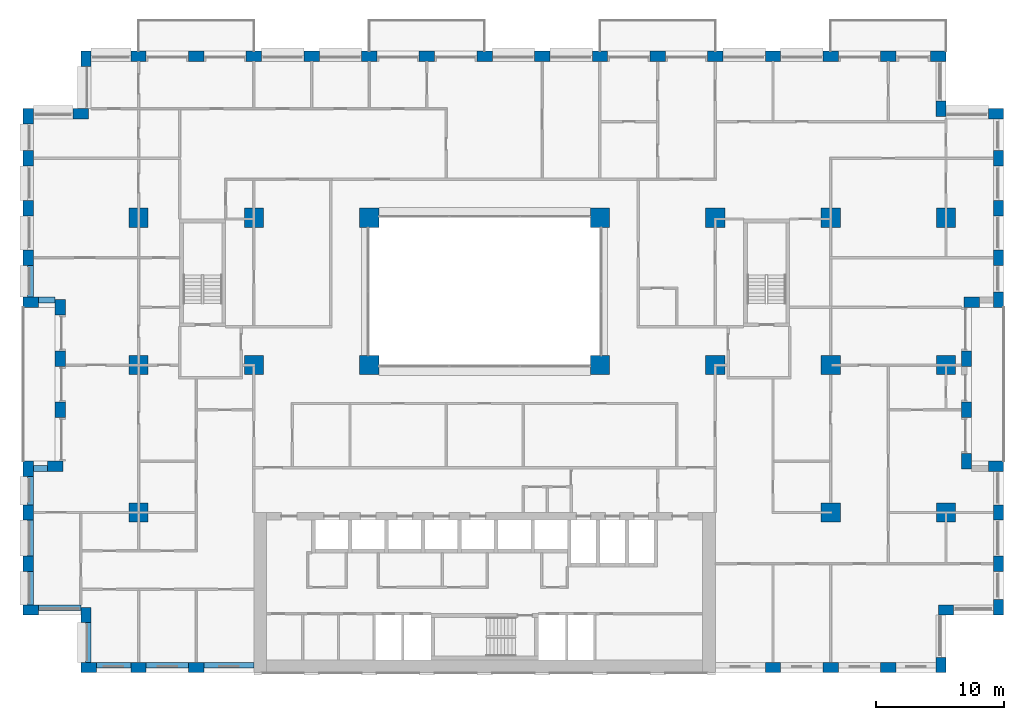
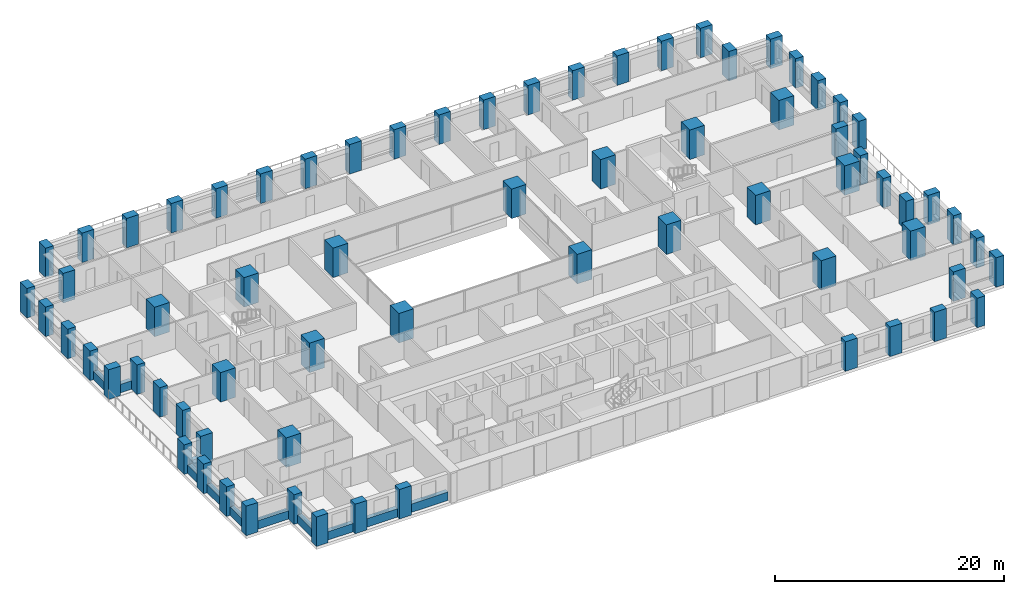
# One storey, part 1 of 20: 70 columns, 11 beams.
"""IFC4 building model written with IfcOpenShell, lengths in metres."""

from ifc_helpers import new_model, si_unit, direction, frame, origin, origin_2d, place, context, subcontext, project, spatial, rectangle, extrude, material, material_profile, profile_set, type_object, element, save


model = new_model("IFC4")

# Units and contexts
model_context = context("Model", 3, precision=1e-05, world=origin(), true_north=direction((0.0, 1.0)))
body_context = subcontext(model_context, "Body", "Model", "MODEL_VIEW")
ifc_project = project(units=[si_unit("LENGTHUNIT", "METRE"), si_unit("AREAUNIT", "SQUARE_METRE"), si_unit("VOLUMEUNIT", "CUBIC_METRE"), si_unit("PLANEANGLEUNIT", "RADIAN"), si_unit("MASSUNIT", "GRAM", prefix="KILO")], contexts=[model_context])

# Site, building, storey
site_placement = place(None, origin())
site = spatial("IfcSite", under=ifc_project, at=site_placement, CompositionType="ELEMENT")
building_placement = place(site_placement, origin())
building = spatial("IfcBuilding", under=site, at=building_placement, Name="Brigalow Station Residences", CompositionType="ELEMENT")
storey_placement = place(building_placement, frame((0.0, 0.0, 54.14990234375)))
storey = spatial("IfcBuildingStorey", under=building, at=storey_placement, Name="L15", CompositionType="ELEMENT", Elevation=54.14990234375)

# Columns
ifc_material_1 = material(Name="Concrete C80", Category="concrete")
ifc_material_profile_1 = material_profile(ifc_material_1, rectangle(XDim=1.5, YDim=1.5, at=origin_2d()), Name="RC1500x1500")
ifc_profile_set_1 = profile_set([ifc_material_profile_1], Name="Concrete C80")
column_type_1 = type_object("IfcColumnType", Name="COLUMN 1500x1500 C80", PredefinedType="COLUMN", material=ifc_profile_set_1)
for number, where, z_axis, x_axis, name in (
    (1, (9.0, 24.0, 0.0), (0.0, 0.0, 1.0), (1.0, 0.0, 0.0), "COLUMN C1 L15"),
    (2, (18.0, 24.0, 0.0), (0.0, 0.0, 1.0), (1.0, 0.0, 0.0), "COLUMN C2 L15"),
    (3, (27.0, 24.0, 0.0), (0.0, 0.0, 1.0), (1.0, 0.0, 0.0), "COLUMN C3 L15"),
    (4, (45.0, 24.0, 0.0), (0.0, 0.0, 1.0), (1.0, 0.0, 0.0), "COLUMN C5 L15"),
    (5, (54.0, 24.0, 0.0), (0.0, 0.0, 1.0), (1.0, 0.0, 0.0), "COLUMN C6 L15"),
    (6, (63.0, 24.0, 0.0), (0.0, 0.0, 1.0), (1.0, 0.0, 0.0), "COLUMN C7 L15"),
    (7, (72.0, 24.0, 0.0), (0.0, 0.0, 1.0), (1.0, 0.0, 0.0), "COLUMN C8 L15"),
    (8, (9.0, 35.5, 0.0), (0.0, 0.0, 1.0), (1.0, 0.0, 0.0), "COLUMN D1 L15"),
    (9, (18.0, 35.5, 0.0), (0.0, 0.0, 1.0), (1.0, 0.0, 0.0), "COLUMN D2 L15"),
    (10, (27.0, 35.5, 0.0), (0.0, 0.0, 1.0), (1.0, 0.0, 0.0), "COLUMN D3 L15"),
    (11, (45.0, 35.5, 0.0), (0.0, 0.0, 1.0), (1.0, 0.0, 0.0), "COLUMN D5 L15"),
    (12, (54.0, 35.5, 0.0), (0.0, 0.0, 1.0), (1.0, 0.0, 0.0), "COLUMN D6 L15"),
    (13, (63.0, 35.5, 0.0), (0.0, 0.0, 1.0), (1.0, 0.0, 0.0), "COLUMN D7 L15"),
    (14, (72.0, 35.5, 0.0), (0.0, 0.0, 1.0), (1.0, 0.0, 0.0), "COLUMN D8 L15"),
    (15, (9.0, 12.5, 0.0), (0.0, 0.0, 1.0), (1.0, 0.0, 0.0), "COLUMN B1 L15"),
    (16, (63.0, 12.5, 0.0), (0.0, 0.0, 1.0), (1.0, 0.0, 0.0), "COLUMN B7 L15"),
    (17, (72.0, 12.5, 0.0), (0.0, 0.0, 1.0), (1.0, 0.0, 0.0), "COLUMN B8 L15"),
):
    element("IfcColumn", number, at=place(storey_placement, frame(where, z_axis=z_axis, x_axis=x_axis)), inside=storey, type_object=column_type_1, Name=name, PredefinedType="COLUMN", context=body_context, shape_type="SweptSolid", body=[
        extrude(rectangle(XDim=1.5, YDim=1.5, at=origin_2d()), origin(), (0.0, 0.0, 1.0), 3.150146484375),
    ])
ifc_material_2 = material(Name="Concrete C80", Category="concrete")
ifc_material_profile_2 = material_profile(ifc_material_2, rectangle(XDim=1.199951171875, YDim=0.800048828125, at=origin_2d()), Name="RC1200x800")
ifc_profile_set_2 = profile_set([ifc_material_profile_2], Name="Concrete C80")
column_type_2 = type_object("IfcColumnType", Name="PIER 1200x800 C80", PredefinedType="USERDEFINED", material=ifc_profile_set_2)
for number, where, z_axis, x_axis, name in (
    (18, (5.10009765625, 0.39990234375, 0.0), (0.0, 0.0, 1.0), (1.0, 0.0, 0.0), "PIER S-1 L15"),
    (19, (9.0, 0.39990234375, 0.0), (0.0, 0.0, 1.0), (1.0, 0.0, 0.0), "PIER S-2 L15"),
    (20, (13.5, 0.39990234375, 0.0), (0.0, 0.0, 1.0), (1.0, 0.0, 0.0), "PIER S-3 L15"),
    (21, (58.5, 0.39990234375, 0.0), (0.0, 0.0, 1.0), (1.0, 0.0, 0.0), "PIER S-13 L15"),
    (22, (63.0, 0.39990234375, 0.0), (0.0, 0.0, 1.0), (1.0, 0.0, 0.0), "PIER S-14 L15"),
    (23, (67.5, 0.39990234375, 0.0), (0.0, 0.0, 1.0), (1.0, 0.0, 0.0), "PIER S-15 L15"),
    (24, (71.60009765625, 0.60009765625, 0.0), (0.0, 0.0, 1.0), (0.0, 1.0, 0.0), "PIER SE1-1 L15"),
    (25, (72.0, 4.89990234375, 0.0), (0.0, 0.0, 1.0), (1.0, 0.0, 0.0), "PIER SE2-1 L15"),
    (26, (76.10009765625, 5.10009765625, 0.0), (0.0, 0.0, 1.0), (0.0, 1.0, 0.0), "PIER E1-1 L15"),
    (27, (76.10009765625, 8.5, 0.0), (0.0, 0.0, 1.0), (0.0, 1.0, 0.0), "PIER E1-2 L15"),
    (28, (76.10009765625, 12.5, 0.0), (0.0, 0.0, 1.0), (0.0, 1.0, 0.0), "PIER E1-3 L15"),
    (29, (75.89990234375, 16.10009765625, 0.0), (0.0, 0.0, 1.0), (-1.0, 0.0, 0.0), "PIER EL1-1 L15"),
    (30, (73.60009765625, 16.5, 0.0), (0.0, 0.0, 1.0), (0.0, 1.0, 0.0), "PIER EL2-1 L15"),
    (31, (73.60009765625, 20.5, 0.0), (0.0, 0.0, 1.0), (0.0, 1.0, 0.0), "PIER EL2-2 L15"),
    (32, (73.60009765625, 24.5, 0.0), (0.0, 0.0, 1.0), (0.0, 1.0, 0.0), "PIER EL2-3 L15"),
    (33, (74.0, 28.89990234375, 0.0), (0.0, 0.0, 1.0), (1.0, 0.0, 0.0), "PIER EL3-1 L15"),
    (34, (76.10009765625, 29.10009765625, 0.0), (0.0, 0.0, 1.0), (0.0, 1.0, 0.0), "PIER E2-1 L15"),
    (35, (76.10009765625, 32.375, 0.0), (0.0, 0.0, 1.0), (0.0, 1.0, 0.0), "PIER E2-2 L15"),
    (36, (76.10009765625, 36.25, 0.0), (0.0, 0.0, 1.0), (0.0, 1.0, 0.0), "PIER E2-3 L15"),
    (37, (76.10009765625, 40.125, 0.0), (0.0, 0.0, 1.0), (0.0, 1.0, 0.0), "PIER E2-4 L15"),
    (38, (75.89990234375, 43.60009765625, 0.0), (0.0, 0.0, 1.0), (-1.0, 0.0, 0.0), "PIER NE1-1 L15"),
    (39, (71.60009765625, 44.0, 0.0), (0.0, 0.0, 1.0), (0.0, 1.0, 0.0), "PIER NE2-1 L15"),
    (40, (71.39990234375, 48.10009765625, 0.0), (0.0, 0.0, 1.0), (-1.0, 0.0, 0.0), "PIER N-1 L15"),
    (41, (67.5, 48.10009765625, 0.0), (0.0, 0.0, 1.0), (-1.0, 0.0, 0.0), "PIER N-2 L15"),
    (42, (63.0, 48.10009765625, 0.0), (0.0, 0.0, 1.0), (-1.0, 0.0, 0.0), "PIER N-3 L15"),
    (43, (58.5, 48.10009765625, 0.0), (0.0, 0.0, 1.0), (-1.0, 0.0, 0.0), "PIER N-4 L15"),
    (44, (54.0, 48.10009765625, 0.0), (0.0, 0.0, 1.0), (-1.0, 0.0, 0.0), "PIER N-5 L15"),
    (45, (49.5, 48.10009765625, 0.0), (0.0, 0.0, 1.0), (-1.0, 0.0, 0.0), "PIER N-6 L15"),
    (46, (45.0, 48.10009765625, 0.0), (0.0, 0.0, 1.0), (-1.0, 0.0, 0.0), "PIER N-7 L15"),
    (47, (40.5, 48.10009765625, 0.0), (0.0, 0.0, 1.0), (-1.0, 0.0, 0.0), "PIER N-8 L15"),
    (48, (36.0, 48.10009765625, 0.0), (0.0, 0.0, 1.0), (-1.0, 0.0, 0.0), "PIER N-9 L15"),
    (49, (31.5, 48.10009765625, 0.0), (0.0, 0.0, 1.0), (-1.0, 0.0, 0.0), "PIER N-10 L15"),
    (50, (27.0, 48.10009765625, 0.0), (0.0, 0.0, 1.0), (-1.0, 0.0, 0.0), "PIER N-11 L15"),
    (51, (22.5, 48.10009765625, 0.0), (0.0, 0.0, 1.0), (-1.0, 0.0, 0.0), "PIER N-12 L15"),
    (52, (18.0, 48.10009765625, 0.0), (0.0, 0.0, 1.0), (-1.0, 0.0, 0.0), "PIER N-13 L15"),
    (53, (13.5, 48.10009765625, 0.0), (0.0, 0.0, 1.0), (-1.0, 0.0, 0.0), "PIER N-14 L15"),
    (54, (9.0, 48.10009765625, 0.0), (0.0, 0.0, 1.0), (-1.0, 0.0, 0.0), "PIER N-15 L15"),
    (55, (4.89990234375, 47.89990234375, 0.0), (0.0, 0.0, 1.0), (0.0, -1.0, 0.0), "PIER NW1-1 L15"),
    (56, (4.5, 43.60009765625, 0.0), (0.0, 0.0, 1.0), (-1.0, 0.0, 0.0), "PIER NW2-1 L15"),
    (57, (0.39990234375, 43.39990234375, 0.0), (0.0, 0.0, 1.0), (0.0, -1.0, 0.0), "PIER W2-1 L15"),
    (58, (0.39990234375, 40.125, 0.0), (0.0, 0.0, 1.0), (0.0, -1.0, 0.0), "PIER W2-2 L15"),
    (59, (0.39990234375, 36.25, 0.0), (0.0, 0.0, 1.0), (0.0, -1.0, 0.0), "PIER W2-3 L15"),
    (60, (0.39990234375, 32.375, 0.0), (0.0, 0.0, 1.0), (0.0, -1.0, 0.0), "PIER W2-4 L15"),
    (61, (0.60009765625, 28.89990234375, 0.0), (0.0, 0.0, 1.0), (1.0, 0.0, 0.0), "PIER WL1-1 L15"),
    (62, (2.89990234375, 28.5, 0.0), (0.0, 0.0, 1.0), (0.0, -1.0, 0.0), "PIER WL2-1 L15"),
    (63, (2.89990234375, 24.5, 0.0), (0.0, 0.0, 1.0), (0.0, -1.0, 0.0), "PIER WL2-2 L15"),
    (64, (2.89990234375, 20.5, 0.0), (0.0, 0.0, 1.0), (0.0, -1.0, 0.0), "PIER WL2-3 L15"),
    (65, (2.5, 16.10009765625, 0.0), (0.0, 0.0, 1.0), (-1.0, 0.0, 0.0), "PIER WL3-1 L15"),
    (66, (0.39990234375, 15.89990234375, 0.0), (0.0, 0.0, 1.0), (0.0, -1.0, 0.0), "PIER W1-1 L15"),
    (67, (0.39990234375, 12.5, 0.0), (0.0, 0.0, 1.0), (0.0, -1.0, 0.0), "PIER W1-2 L15"),
    (68, (0.39990234375, 8.5, 0.0), (0.0, 0.0, 1.0), (0.0, -1.0, 0.0), "PIER W1-3 L15"),
    (69, (0.60009765625, 4.89990234375, 0.0), (0.0, 0.0, 1.0), (1.0, 0.0, 0.0), "PIER SW1-1 L15"),
    (70, (4.89990234375, 4.5, 0.0), (0.0, 0.0, 1.0), (0.0, -1.0, 0.0), "PIER SW2-1 L15"),
):
    element("IfcColumn", number, at=place(storey_placement, frame(where, z_axis=z_axis, x_axis=x_axis)), inside=storey, type_object=column_type_2, Name=name, ObjectType="PIER", PredefinedType="USERDEFINED", context=body_context, shape_type="SweptSolid", body=[
        extrude(rectangle(XDim=1.199951171875, YDim=0.800048828125, at=origin_2d()), origin(), (0.0, 0.0, 1.0), 3.150146484375),
    ])

# Beams
ifc_material_3 = material(Name="Concrete C65", Category="concrete")
ifc_material_profile_3 = material_profile(ifc_material_3, rectangle(XDim=0.449951171875, YDim=0.89990234375, at=origin_2d()), Name="RC450x900")
ifc_profile_set_3 = profile_set([ifc_material_profile_3], Name="Concrete C65")
beam_type = type_object("IfcBeamType", Name="SPANDREL BEAM 450x900 C65", PredefinedType="SPANDREL", material=ifc_profile_set_3)
beam_1_placement = place(storey_placement, frame((5.699951171875, 0.574951171875, 0.4501953125), z_axis=(1.0, 0.0, 0.0), x_axis=(0.0, 1.0, 0.0)))
element("IfcBeam", 71, at=beam_1_placement, inside=storey, type_object=beam_type, Name="L15/spandrel/W-L15-1", PredefinedType="SPANDREL", context=body_context, shape_type="SweptSolid", body=[
    extrude(rectangle(XDim=0.449951171875, YDim=0.89990234375, at=origin_2d()), origin(), (0.0, 0.0, 1.0), 2.699951171875),
])
beam_2_placement = place(storey_placement, frame((9.60009765625, 0.574951171875, 0.4501953125), z_axis=(1.0, 0.0, 0.0), x_axis=(0.0, 1.0, 0.0)))
element("IfcBeam", 72, at=beam_2_placement, inside=storey, type_object=beam_type, Name="L15/spandrel/W-L15-2", PredefinedType="SPANDREL", context=body_context, shape_type="SweptSolid", body=[
    extrude(rectangle(XDim=0.449951171875, YDim=0.89990234375, at=origin_2d()), origin(), (0.0, 0.0, 1.0), 3.2998046875),
])
beam_3_placement = place(storey_placement, frame((14.10009765625, 0.574951171875, 0.4501953125), z_axis=(1.0, 0.0, 0.0), x_axis=(0.0, 1.0, 0.0)))
element("IfcBeam", 73, at=beam_3_placement, inside=storey, type_object=beam_type, Name="L15/spandrel/W-L15-3", PredefinedType="SPANDREL", context=body_context, shape_type="SweptSolid", body=[
    extrude(rectangle(XDim=0.449951171875, YDim=0.89990234375, at=origin_2d()), origin(), (0.0, 0.0, 1.0), 3.89990234375),
])
beam_4_placement = place(storey_placement, frame((0.574951171875, 31.77490234375, 0.4501953125), z_axis=(0.0, -1.0, 0.0), x_axis=(1.0, 0.0, 0.0)))
element("IfcBeam", 74, at=beam_4_placement, inside=storey, type_object=beam_type, Name="L15/spandrel/W-L15-45", PredefinedType="SPANDREL", context=body_context, shape_type="SweptSolid", body=[
    extrude(rectangle(XDim=0.449951171875, YDim=0.89990234375, at=origin_2d()), origin(), (0.0, 0.0, 1.0), 2.474853515625),
])
beam_5_placement = place(storey_placement, frame((1.199951171875, 29.074951171875, 0.4501953125), z_axis=(1.0, 0.0, 0.0), x_axis=(0.0, 1.0, 0.0)))
element("IfcBeam", 75, at=beam_5_placement, inside=storey, type_object=beam_type, Name="L15/spandrel/W-L15-46", PredefinedType="SPANDREL", context=body_context, shape_type="SweptSolid", body=[
    extrude(rectangle(XDim=0.449951171875, YDim=0.89990234375, at=origin_2d()), origin(), (0.0, 0.0, 1.0), 1.300048828125),
])
beam_6_placement = place(storey_placement, frame((1.89990234375, 15.925048828125, 0.4501953125), z_axis=(-1.0, 0.0, 0.0), x_axis=(0.0, -1.0, 0.0)))
element("IfcBeam", 76, at=beam_6_placement, inside=storey, type_object=beam_type, Name="L15/spandrel/W-L15-50", PredefinedType="SPANDREL", context=body_context, shape_type="SweptSolid", body=[
    extrude(rectangle(XDim=0.449951171875, YDim=0.89990234375, at=origin_2d()), origin(), (0.0, 0.0, 1.0), 1.099853515625),
])
beam_7_placement = place(storey_placement, frame((0.574951171875, 15.300048828125, 0.4501953125), z_axis=(0.0, -1.0, 0.0), x_axis=(1.0, 0.0, 0.0)))
element("IfcBeam", 77, at=beam_7_placement, inside=storey, type_object=beam_type, Name="L15/spandrel/W-L15-51", PredefinedType="SPANDREL", context=body_context, shape_type="SweptSolid", body=[
    extrude(rectangle(XDim=0.449951171875, YDim=0.89990234375, at=origin_2d()), origin(), (0.0, 0.0, 1.0), 2.199951171875),
])
beam_8_placement = place(storey_placement, frame((0.574951171875, 11.89990234375, 0.4501953125), z_axis=(0.0, -1.0, 0.0), x_axis=(1.0, 0.0, 0.0)))
element("IfcBeam", 78, at=beam_8_placement, inside=storey, type_object=beam_type, Name="L15/spandrel/W-L15-52", PredefinedType="SPANDREL", context=body_context, shape_type="SweptSolid", body=[
    extrude(rectangle(XDim=0.449951171875, YDim=0.89990234375, at=origin_2d()), origin(), (0.0, 0.0, 1.0), 2.7998046875),
])
beam_9_placement = place(storey_placement, frame((0.574951171875, 7.89990234375, 0.4501953125), z_axis=(0.0, -1.0, 0.0), x_axis=(1.0, 0.0, 0.0)))
element("IfcBeam", 79, at=beam_9_placement, inside=storey, type_object=beam_type, Name="L15/spandrel/W-L15-53", PredefinedType="SPANDREL", context=body_context, shape_type="SweptSolid", body=[
    extrude(rectangle(XDim=0.449951171875, YDim=0.89990234375, at=origin_2d()), origin(), (0.0, 0.0, 1.0), 2.599853515625),
])
beam_10_placement = place(storey_placement, frame((1.199951171875, 5.074951171875, 0.4501953125), z_axis=(1.0, 0.0, 0.0), x_axis=(0.0, 1.0, 0.0)))
element("IfcBeam", 80, at=beam_10_placement, inside=storey, type_object=beam_type, Name="L15/spandrel/W-L15-54", PredefinedType="SPANDREL", context=body_context, shape_type="SweptSolid", body=[
    extrude(rectangle(XDim=0.449951171875, YDim=0.89990234375, at=origin_2d()), origin(), (0.0, 0.0, 1.0), 3.300048828125),
])
beam_11_placement = place(storey_placement, frame((5.074951171875, 3.89990234375, 0.4501953125), z_axis=(0.0, -1.0, 0.0), x_axis=(1.0, 0.0, 0.0)))
element("IfcBeam", 81, at=beam_11_placement, inside=storey, type_object=beam_type, Name="L15/spandrel/W-L15-55", PredefinedType="SPANDREL", context=body_context, shape_type="SweptSolid", body=[
    extrude(rectangle(XDim=0.449951171875, YDim=0.89990234375, at=origin_2d()), origin(), (0.0, 0.0, 1.0), 3.099853515625),
])

save(model, "model.ifc")
